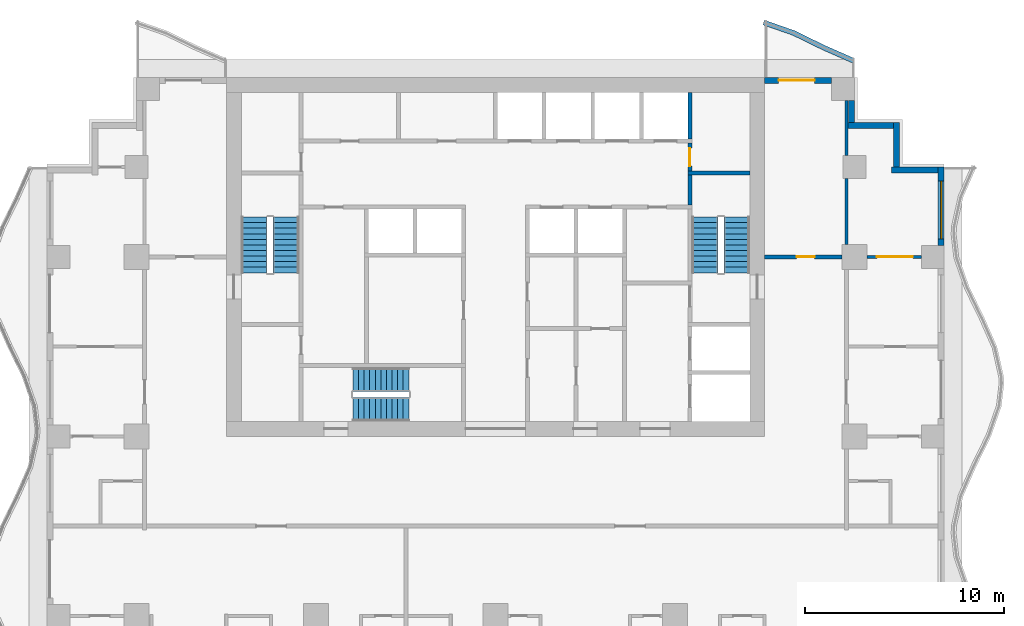
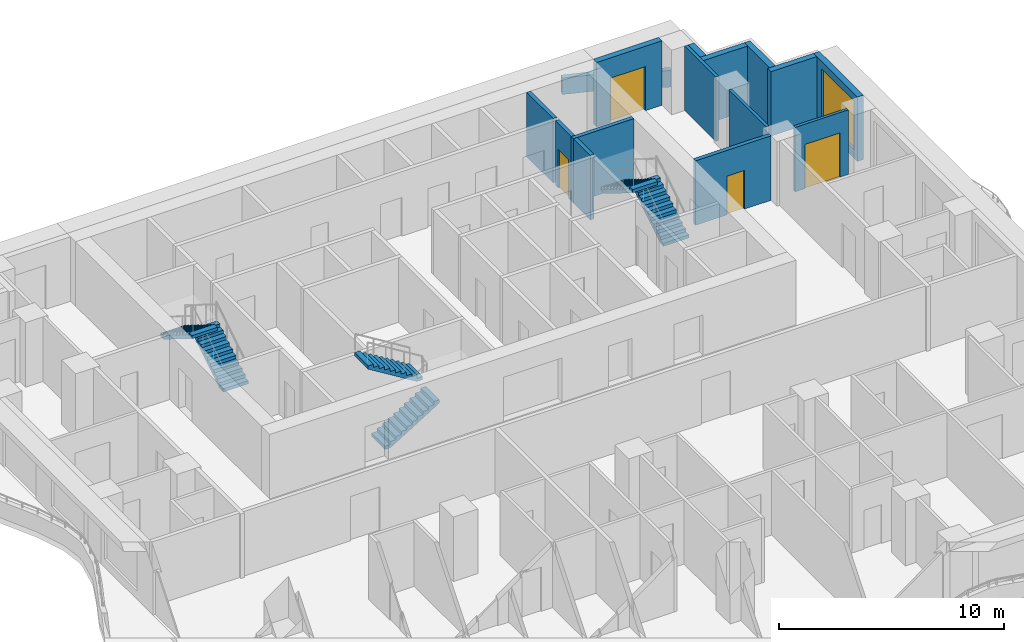
# One storey, part 6 of 10: 15 walls, 6 stair flights, 4 doors, 1 window, 5 openings, 3 elements without a shape of their own.
"""IFC4 building model written with IfcOpenShell, lengths in metres."""

from ifc_helpers import new_model, si_unit, direction, frame, frame_2d, origin, place, context, subcontext, project, spatial, polyline, rectangle, outline, extrude, material, layer, layer_set, type_object, element, fill, aggregate, save


model = new_model("IFC4")

# Units and contexts
model_context = context("Model", 3, precision=1e-05, world=origin(), true_north=direction((0.0, 1.0)))
body_context = subcontext(model_context, "Body", "Model", "MODEL_VIEW")
ifc_project = project(units=[si_unit("LENGTHUNIT", "METRE"), si_unit("AREAUNIT", "SQUARE_METRE"), si_unit("VOLUMEUNIT", "CUBIC_METRE"), si_unit("PLANEANGLEUNIT", "RADIAN"), si_unit("MASSUNIT", "GRAM", prefix="KILO")], contexts=[model_context])

# Site, building, storey
site_placement = place(None, origin())
site = spatial("IfcSite", under=ifc_project, at=site_placement, CompositionType="ELEMENT")
building_placement = place(site_placement, origin())
building = spatial("IfcBuilding", under=site, at=building_placement, Name="Orbiselva Terraces", CompositionType="ELEMENT")
storey_placement = place(building_placement, frame((0.0, 0.0, 140.2)))
storey = spatial("IfcBuildingStorey", under=building, at=storey_placement, Name="L35", CompositionType="ELEMENT", Elevation=140.2)

# Wall, opening, door
ifc_material_1 = material(Name="Masonry blockwork", Category="masonry")
ifc_layer_1 = layer(ifc_material_1, 0.2)
ifc_layer_set_1 = layer_set([ifc_layer_1], Name="Masonry blockwork")
wall_type_1 = type_object("IfcWallType", Name="CORE-WALL-PARTITION-200", PredefinedType="PARTITIONING", material=ifc_layer_set_1)
wall_1_placement = place(storey_placement, frame((9.75, 19.2, 0.0), z_axis=(0.0, 0.0, 1.0), x_axis=(0.0, -1.0, 0.0)))
wall_1 = element("IfcWall", 1, at=wall_1_placement, inside=storey, type_object=wall_type_1, Name="L35 core wall 46", PredefinedType="PARTITIONING", context=body_context, shape_type="SweptSolid", body=[
    extrude(rectangle(XDim=1.4, YDim=0.2, at=frame_2d((0.7, 0.0))), origin(), (0.0, 0.0, 1.0), 3.5),
])
opening_1_placement = place(wall_1_placement, frame((0.25, 0.0, 0.0)))
opening_1 = element("IfcOpeningElement", 2, at=opening_1_placement, cuts=wall_1, Name="Opening DR900", PredefinedType="OPENING", context=body_context, shape_type="SweptSolid", body=[
    extrude(rectangle(XDim=0.9, YDim=2.1, at=frame_2d((0.45, 1.05))), frame((0.0, 0.11, 0.0), z_axis=(0.0, -1.0, 0.0), x_axis=(1.0, 0.0, 0.0)), (0.0, 0.0, 1.0), 0.22),
])
ifc_material_2 = material(Name="Steel fire door", Category="steel")
door_type_1 = type_object("IfcDoorType", Name="ROOM DOOR 900", OperationType="NOTDEFINED", PredefinedType="DOOR", material=ifc_material_2)
door_1_placement = place(opening_1_placement, origin())
door_1 = element("IfcDoor", 3, at=door_1_placement, inside=storey, type_object=door_type_1, Name="L35 ELECTRICAL RISER ROOM door", OperationType="SINGLE_SWING_RIGHT", OverallHeight=2.1, OverallWidth=0.9, PredefinedType="DOOR", context=body_context, shape_type="SweptSolid", body=[
    extrude(rectangle(XDim=0.9, YDim=2.1, at=frame_2d((0.45, 1.05))), frame((0.0, 0.025, 0.0), z_axis=(0.0, -1.0, 0.0), x_axis=(1.0, 0.0, 0.0)), (0.0, 0.0, 1.0), 0.05),
])
fill(opening_1, door_1)

# Walls
ifc_material_3 = material(Name="Concrete C40/50", Category="concrete")
ifc_layer_2 = layer(ifc_material_3, 0.2)
ifc_layer_set_2 = layer_set([ifc_layer_2], Name="Concrete C40/50")
wall_type_2 = type_object("IfcWallType", Name="CORE-WALL-SHAFT-200", PredefinedType="PARTITIONING", material=ifc_layer_set_2)
wall_2_placement = place(storey_placement, frame((9.75, 19.4, 0.0), z_axis=(0.0, 0.0, 1.0), x_axis=(0.0, 1.0, 0.0)))
element("IfcWall", 4, at=wall_2_placement, inside=storey, type_object=wall_type_2, Name="L35 core wall 47", PredefinedType="PARTITIONING", context=body_context, shape_type="SweptSolid", body=[
    extrude(rectangle(XDim=2.35, YDim=0.2, at=frame_2d((1.175, 0.0))), origin(), (0.0, 0.0, 1.0), 3.5),
])
ifc_material_4 = material(Name="Concrete C60/75", Category="concrete")
ifc_layer_3 = layer(ifc_material_4, 0.2)
ifc_layer_set_3 = layer_set([ifc_layer_3], Name="Concrete C60/75")
wall_type_3 = type_object("IfcWallType", Name="CORE-WALL-SHEAR-200", PredefinedType="SHEAR", material=ifc_layer_set_3)
wall_3_placement = place(storey_placement, frame((9.75, 16.1, 0.0), z_axis=(0.0, 0.0, 1.0), x_axis=(0.0, 1.0, 0.0)))
element("IfcWall", 5, at=wall_3_placement, inside=storey, type_object=wall_type_3, Name="L35 core wall 44", PredefinedType="SHEAR", context=body_context, shape_type="SweptSolid", body=[
    extrude(rectangle(XDim=1.5, YDim=0.2, at=frame_2d((0.75, 0.0))), origin(), (0.0, 0.0, 1.0), 3.5),
])
wall_4_placement = place(storey_placement, frame((9.65, 17.7, 0.0), z_axis=(0.0, 0.0, 1.0), x_axis=(1.0, 0.0, 0.0)))
element("IfcWall", 6, at=wall_4_placement, inside=storey, type_object=wall_type_3, Name="L35 core wall 45", PredefinedType="SHEAR", context=body_context, shape_type="SweptSolid", body=[
    extrude(rectangle(XDim=3.1, YDim=0.2, at=frame_2d((1.55, 0.0))), origin(), (0.0, 0.0, 1.0), 3.5),
])
ifc_layer_4 = layer(ifc_material_3, 0.25)
ifc_layer_set_4 = layer_set([ifc_layer_4], Name="Concrete C40/50")
wall_type_4 = type_object("IfcWallType", Name="ENV-PLANTER-250x900", PredefinedType="USERDEFINED", material=ifc_layer_set_4)
wall_5_placement = place(storey_placement, origin())
element("IfcWall", 7, at=wall_5_placement, inside=storey, type_object=wall_type_4, Name="Balcony planter L35 NE", ObjectType="PLANTER", PredefinedType="USERDEFINED", context=body_context, shape_type="SweptSolid", body=[
    extrude(outline(polyline([(18.0, 23.451472), (16.5, 24.112279), (15.0, 24.844789), (13.5, 25.369208), (13.417494, 25.133215), (14.90356, 24.613667), (16.394714, 23.885477), (17.899212, 23.222689), (18.0, 23.451472)])), origin(), (0.0, 0.0, 1.0), 0.9),
])

# Wall, opening, window
ifc_material_5 = material(Name="Terracotta cladding on masonry backing", Category="masonry")
ifc_layer_5 = layer(ifc_material_5, 0.3)
ifc_layer_set_5 = layer_set([ifc_layer_5], Name="Terracotta cladding on masonry backing")
wall_type_5 = type_object("IfcWallType", Name="ENV-WALL-TERRACOTTA-300", PredefinedType="SOLIDWALL", material=ifc_layer_set_5)
wall_6_placement = place(storey_placement, frame((22.35, 18.0, 0.0), z_axis=(0.0, 0.0, 1.0), x_axis=(0.0, -1.0, 0.0)))
wall_6 = element("IfcWall", 8, at=wall_6_placement, inside=storey, type_object=wall_type_5, Name="Facade wall L35 E", PredefinedType="SOLIDWALL", context=body_context, shape_type="SweptSolid", body=[
    extrude(rectangle(XDim=3.925, YDim=0.3, at=frame_2d((1.9625, 0.0))), origin(), (0.0, 0.0, 1.0), 3.5),
])
opening_2_placement = place(wall_6_placement, frame((0.7, 0.0, 0.45)))
opening_2 = element("IfcOpeningElement", 9, at=opening_2_placement, cuts=wall_6, Name="Opening WN8", PredefinedType="OPENING", context=body_context, shape_type="SweptSolid", body=[
    extrude(rectangle(XDim=2.9, YDim=2.65, at=frame_2d((1.45, 1.325))), frame((0.0, 0.16, 0.0), z_axis=(0.0, -1.0, 0.0), x_axis=(1.0, 0.0, 0.0)), (0.0, 0.0, 1.0), 0.32),
])
ifc_material_6 = material(Name="Clear low-e glazing in aluminium frame", Category="aluminium")
window_type = type_object("IfcWindowType", Name="WINDOW 2900 X 2650 S450", PartitioningType="TRIPLE_PANEL_VERTICAL", PredefinedType="WINDOW", material=ifc_material_6)
window_placement = place(opening_2_placement, origin())
window = element("IfcWindow", 10, at=window_placement, inside=storey, type_object=window_type, Name="Window L35 E", OverallHeight=2.65, OverallWidth=2.9, PartitioningType="SINGLE_PANEL", PredefinedType="WINDOW", context=body_context, shape_type="SweptSolid", body=[
    extrude(rectangle(XDim=2.9, YDim=2.65, at=frame_2d((1.45, 1.325))), frame((0.0, 0.03, 0.0), z_axis=(0.0, -1.0, 0.0), x_axis=(1.0, 0.0, 0.0)), (0.0, 0.0, 1.0), 0.06),
])
fill(opening_2, window)

# Walls
wall_7_placement = place(storey_placement, frame((19.85, 17.85, 0.0), z_axis=(0.0, 0.0, 1.0), x_axis=(1.0, 0.0, 0.0)))
element("IfcWall", 11, at=wall_7_placement, inside=storey, type_object=wall_type_5, Name="Facade wall L35 STEP", PredefinedType="SOLIDWALL", context=body_context, shape_type="SweptSolid", body=[
    extrude(rectangle(XDim=2.35, YDim=0.3, at=frame_2d((1.175, 0.0))), origin(), (0.0, 0.0, 1.0), 3.5),
])
wall_8_placement = place(storey_placement, frame((20.1, 20.25, 0.0), z_axis=(0.0, 0.0, 1.0), x_axis=(0.0, -1.0, 0.0)))
element("IfcWall", 12, at=wall_8_placement, inside=storey, type_object=wall_type_5, Name="Facade wall L35 STEP", PredefinedType="SOLIDWALL", context=body_context, shape_type="SweptSolid", body=[
    extrude(rectangle(XDim=2.25, YDim=0.3, at=frame_2d((1.125, 0.0))), origin(), (0.0, 0.0, 1.0), 3.5),
])
wall_9_placement = place(storey_placement, frame((17.6, 20.1, 0.0), z_axis=(0.0, 0.0, 1.0), x_axis=(1.0, 0.0, 0.0)))
element("IfcWall", 13, at=wall_9_placement, inside=storey, type_object=wall_type_5, Name="Facade wall L35 STEP", PredefinedType="SOLIDWALL", context=body_context, shape_type="SweptSolid", body=[
    extrude(rectangle(XDim=2.35, YDim=0.3, at=frame_2d((1.175, 0.0))), origin(), (0.0, 0.0, 1.0), 3.5),
])
wall_10_placement = place(storey_placement, frame((17.85, 21.35, 0.0), z_axis=(0.0, 0.0, 1.0), x_axis=(0.0, -1.0, 0.0)))
element("IfcWall", 14, at=wall_10_placement, inside=storey, type_object=wall_type_5, Name="Facade wall L35 STEP", PredefinedType="SOLIDWALL", context=body_context, shape_type="SweptSolid", body=[
    extrude(rectangle(XDim=1.1, YDim=0.3, at=frame_2d((0.55, 0.0))), origin(), (0.0, 0.0, 1.0), 3.5),
])

# Wall, opening, door
wall_11_placement = place(storey_placement, frame((13.5, 22.35, 0.0), z_axis=(0.0, 0.0, 1.0), x_axis=(1.0, 0.0, 0.0)))
wall_11 = element("IfcWall", 15, at=wall_11_placement, inside=storey, type_object=wall_type_5, Name="Facade wall L35 NE", PredefinedType="SOLIDWALL", context=body_context, shape_type="SweptSolid", body=[
    extrude(rectangle(XDim=3.35, YDim=0.3, at=frame_2d((1.675, 0.0))), origin(), (0.0, 0.0, 1.0), 3.5),
])
opening_3_placement = place(wall_11_placement, frame((0.7, 0.0, 0.0)))
opening_3 = element("IfcOpeningElement", 16, at=opening_3_placement, cuts=wall_11, Name="Opening Z3-B-E13", PredefinedType="OPENING", context=body_context, shape_type="SweptSolid", body=[
    extrude(rectangle(XDim=1.8, YDim=2.4, at=frame_2d((0.9, 1.2))), frame((0.0, 0.16, 0.0), z_axis=(0.0, -1.0, 0.0), x_axis=(1.0, 0.0, 0.0)), (0.0, 0.0, 1.0), 0.32),
])
door_type_2 = type_object("IfcDoorType", Name="BALCONY DOOR 1800 X 2400", OperationType="DOUBLE_DOOR_SLIDING", PredefinedType="DOOR", material=ifc_material_6)
door_2_placement = place(opening_3_placement, origin())
door_2 = element("IfcDoor", 17, at=door_2_placement, inside=storey, type_object=door_type_2, Name="Z3-B-E13", OperationType="SINGLE_SWING_LEFT", OverallHeight=2.4, OverallWidth=1.8, PredefinedType="DOOR", context=body_context, shape_type="SweptSolid", body=[
    extrude(rectangle(XDim=1.8, YDim=2.4, at=frame_2d((0.9, 1.2))), frame((0.0, 0.025, 0.0), z_axis=(0.0, -1.0, 0.0), x_axis=(1.0, 0.0, 0.0)), (0.0, 0.0, 1.0), 0.05),
])
fill(opening_3, door_2)

ifc_material_7 = material(Name="Plasterboard on steel stud partition", Category="steel")
ifc_layer_6 = layer(ifc_material_7, 0.2)
ifc_layer_set_6 = layer_set([ifc_layer_6], Name="Plasterboard on steel stud partition")
wall_type_6 = type_object("IfcWallType", Name="UNIT-ENTRANCE-WALL-200", PredefinedType="PARTITIONING", material=ifc_layer_set_6)
wall_12_placement = place(storey_placement, frame((13.5, 13.5, 0.0), z_axis=(0.0, 0.0, 1.0), x_axis=(1.0, 0.0, 0.0)))
wall_12 = element("IfcWall", 18, at=wall_12_placement, inside=storey, type_object=wall_type_6, Name="PARTITION L35-037", PredefinedType="PARTITIONING", context=body_context, shape_type="SweptSolid", body=[
    extrude(rectangle(XDim=3.875, YDim=0.2, at=frame_2d((1.9375, 0.0))), origin(), (0.0, 0.0, 1.0), 3.5),
])
opening_4_placement = place(wall_12_placement, frame((1.6, 0.0, 0.0)))
opening_4 = element("IfcOpeningElement", 19, at=opening_4_placement, cuts=wall_12, Name="Opening Z3-B-02", PredefinedType="OPENING", context=body_context, shape_type="SweptSolid", body=[
    extrude(rectangle(XDim=0.9, YDim=2.1, at=frame_2d((0.45, 1.05))), frame((0.0, 0.11, 0.0), z_axis=(0.0, -1.0, 0.0), x_axis=(1.0, 0.0, 0.0)), (0.0, 0.0, 1.0), 0.22),
])
ifc_material_8 = material(Name="Painted timber door leaf", Category="wood")
door_type_3 = type_object("IfcDoorType", Name="SERVICE DOOR 900", OperationType="NOTDEFINED", PredefinedType="DOOR", material=ifc_material_8)
door_3_placement = place(opening_4_placement, origin())
door_3 = element("IfcDoor", 20, at=door_3_placement, inside=storey, type_object=door_type_3, Name="Z3-B-02", OperationType="SINGLE_SWING_RIGHT", OverallHeight=2.1, OverallWidth=0.9, PredefinedType="DOOR", context=body_context, shape_type="SweptSolid", body=[
    extrude(rectangle(XDim=0.9, YDim=2.1, at=frame_2d((0.45, 1.05))), frame((0.0, 0.025, 0.0), z_axis=(0.0, -1.0, 0.0), x_axis=(1.0, 0.0, 0.0)), (0.0, 0.0, 1.0), 0.05),
])
fill(opening_4, door_3)

ifc_layer_7 = layer(ifc_material_7, 0.15)
ifc_layer_set_7 = layer_set([ifc_layer_7], Name="Plasterboard on steel stud partition")
wall_type_7 = type_object("IfcWallType", Name="UNIT-PARTITION-150", PredefinedType="PARTITIONING", material=ifc_layer_set_7)
wall_13_placement = place(storey_placement, frame((18.625, 13.5, 0.0), z_axis=(0.0, 0.0, 1.0), x_axis=(1.0, 0.0, 0.0)))
wall_13 = element("IfcWall", 21, at=wall_13_placement, inside=storey, type_object=wall_type_7, Name="PARTITION L35-038", PredefinedType="PARTITIONING", context=body_context, shape_type="SweptSolid", body=[
    extrude(rectangle(XDim=2.725, YDim=0.15, at=frame_2d((1.3625, 0.0))), origin(), (0.0, 0.0, 1.0), 3.5),
])
opening_5_placement = place(wall_13_placement, frame((0.5, 0.0, 0.0)))
opening_5 = element("IfcOpeningElement", 22, at=opening_5_placement, cuts=wall_13, Name="Opening Z3-B-12", PredefinedType="OPENING", context=body_context, shape_type="SweptSolid", body=[
    extrude(rectangle(XDim=1.8, YDim=2.4, at=frame_2d((0.9, 1.2))), frame((0.0, 0.085, 0.0), z_axis=(0.0, -1.0, 0.0), x_axis=(1.0, 0.0, 0.0)), (0.0, 0.0, 1.0), 0.17),
])
door_type_4 = type_object("IfcDoorType", Name="DOUBLE DOOR 1800", OperationType="NOTDEFINED", PredefinedType="DOOR", material=ifc_material_8)
door_4_placement = place(opening_5_placement, origin())
door_4 = element("IfcDoor", 23, at=door_4_placement, inside=storey, type_object=door_type_4, Name="Z3-B-12", OperationType="DOUBLE_DOOR_SINGLE_SWING", OverallHeight=2.4, OverallWidth=1.8, PredefinedType="DOOR", context=body_context, shape_type="SweptSolid", body=[
    extrude(rectangle(XDim=1.8, YDim=2.4, at=frame_2d((0.9, 1.2))), frame((0.0, 0.025, 0.0), z_axis=(0.0, -1.0, 0.0), x_axis=(1.0, 0.0, 0.0)), (0.0, 0.0, 1.0), 0.05),
])
fill(opening_5, door_4)

# Walls
wall_14_placement = place(storey_placement, frame((17.6, 14.125, 0.0), z_axis=(0.0, 0.0, 1.0), x_axis=(0.0, 1.0, 0.0)))
element("IfcWall", 24, at=wall_14_placement, inside=storey, type_object=wall_type_7, Name="PARTITION L35-066", PredefinedType="PARTITIONING", context=body_context, shape_type="SweptSolid", body=[
    extrude(rectangle(XDim=3.3, YDim=0.15, at=frame_2d((1.65, 0.0))), origin(), (0.0, 0.0, 1.0), 3.5),
])
wall_15_placement = place(storey_placement, frame((17.6, 18.575, 0.0), z_axis=(0.0, 0.0, 1.0), x_axis=(0.0, 1.0, 0.0)))
element("IfcWall", 25, at=wall_15_placement, inside=storey, type_object=wall_type_7, Name="PARTITION L35-067", PredefinedType="PARTITIONING", context=body_context, shape_type="SweptSolid", body=[
    extrude(rectangle(XDim=2.775, YDim=0.15, at=frame_2d((1.3875, 0.0))), origin(), (0.0, 0.0, 1.0), 3.5),
])

# Stair, stair flights
stair_type_1 = type_object("IfcStairType", Name="CORE-STAIR-1200", PredefinedType="HALF_TURN_STAIR", material=ifc_material_3)
stair_1_placement = place(storey_placement, origin())
stair_1 = element("IfcStair", 26, at=stair_1_placement, inside=storey, type_object=stair_type_1, Name="L35 Exit Stair S3", PredefinedType="HALF_TURN_STAIR")
stair_flight_type_1 = type_object("IfcStairFlightType", Name="CORE-STAIR-FLIGHT-1200", PredefinedType="STRAIGHT", material=ifc_material_3)
stair_flight_1_placement = place(storey_placement, frame((-7.15, 5.85, 0.0), z_axis=(0.0, 0.0, 1.0), x_axis=(1.0, 0.0, 0.0)))
stair_flight_1 = element("IfcStairFlight", 27, at=stair_flight_1_placement, type_object=stair_flight_type_1, Name="S3 flight 1", NumberOfRisers=11, NumberOfTreads=10, PredefinedType="STRAIGHT", RiserHeight=0.172727273, TreadLength=0.28, context=body_context, shape_type="SweptSolid", body=[
    extrude(outline(polyline([(0.0, 0.0), (0.0, 0.172727), (0.28, 0.172727), (0.28, 0.345455), (0.56, 0.345455), (0.56, 0.518182), (0.84, 0.518182), (0.84, 0.690909), (1.12, 0.690909), (1.12, 0.863636), (1.4, 0.863636), (1.4, 1.036364), (1.68, 1.036364), (1.68, 1.209091), (1.96, 1.209091), (1.96, 1.381818), (2.24, 1.381818), (2.24, 1.554545), (2.52, 1.554545), (2.52, 1.727273), (2.8, 1.727273), (2.8, 1.9), (2.8, 1.551028), (0.285702, 0.0), (0.0, 0.0)])), frame((0.0, 0.6, 0.0), z_axis=(0.0, -1.0, 0.0), x_axis=(1.0, 0.0, 0.0)), (0.0, 0.0, 1.0), 1.2),
])
stair_flight_2_placement = place(storey_placement, frame((-4.35, 7.35, 1.9), z_axis=(0.0, 0.0, 1.0), x_axis=(-1.0, 0.0, 0.0)))
stair_flight_2 = element("IfcStairFlight", 28, at=stair_flight_2_placement, type_object=stair_flight_type_1, Name="S3 flight 2", NumberOfRisers=11, NumberOfTreads=10, PredefinedType="STRAIGHT", RiserHeight=0.172727273, TreadLength=0.28, context=body_context, shape_type="SweptSolid", body=[
    extrude(outline(polyline([(0.0, 0.0), (0.0, 0.172727), (0.28, 0.172727), (0.28, 0.345455), (0.56, 0.345455), (0.56, 0.518182), (0.84, 0.518182), (0.84, 0.690909), (1.12, 0.690909), (1.12, 0.863636), (1.4, 0.863636), (1.4, 1.036364), (1.68, 1.036364), (1.68, 1.209091), (1.96, 1.209091), (1.96, 1.381818), (2.24, 1.381818), (2.24, 1.554545), (2.52, 1.554545), (2.52, 1.727273), (2.8, 1.727273), (2.8, 1.9), (2.8, 1.551028), (0.285702, 0.0), (0.0, 0.0)])), frame((0.0, 0.6, 0.0), z_axis=(0.0, -1.0, 0.0), x_axis=(1.0, 0.0, 0.0)), (0.0, 0.0, 1.0), 1.2),
])
aggregate(stair_1, [stair_flight_1, stair_flight_2])

stair_type_2 = type_object("IfcStairType", Name="CORE-STAIR-1300", PredefinedType="HALF_TURN_STAIR", material=ifc_material_3)
stair_2_placement = place(storey_placement, origin())
stair_2 = element("IfcStair", 29, at=stair_2_placement, inside=storey, type_object=stair_type_2, Name="L35 Exit Stair S1", PredefinedType="HALF_TURN_STAIR")
stair_flight_type_2 = type_object("IfcStairFlightType", Name="CORE-STAIR-FLIGHT-1300", PredefinedType="STRAIGHT", material=ifc_material_3)
stair_flight_3_placement = place(storey_placement, frame((-10.5, 12.7, 0.0), z_axis=(0.0, 0.0, 1.0), x_axis=(0.0, 1.0, 0.0)))
stair_flight_3 = element("IfcStairFlight", 30, at=stair_flight_3_placement, type_object=stair_flight_type_2, Name="S1 flight 1", NumberOfRisers=11, NumberOfTreads=10, PredefinedType="STRAIGHT", RiserHeight=0.172727273, TreadLength=0.28, context=body_context, shape_type="SweptSolid", body=[
    extrude(outline(polyline([(0.0, 0.0), (0.0, 0.172727), (0.28, 0.172727), (0.28, 0.345455), (0.56, 0.345455), (0.56, 0.518182), (0.84, 0.518182), (0.84, 0.690909), (1.12, 0.690909), (1.12, 0.863636), (1.4, 0.863636), (1.4, 1.036364), (1.68, 1.036364), (1.68, 1.209091), (1.96, 1.209091), (1.96, 1.381818), (2.24, 1.381818), (2.24, 1.554545), (2.52, 1.554545), (2.52, 1.727273), (2.8, 1.727273), (2.8, 1.9), (2.8, 1.551028), (0.285702, 0.0), (0.0, 0.0)])), frame((0.0, 0.65, 0.0), z_axis=(0.0, -1.0, 0.0), x_axis=(1.0, 0.0, 0.0)), (0.0, 0.0, 1.0), 1.3),
])
stair_flight_4_placement = place(storey_placement, frame((-12.1, 15.5, 1.9), z_axis=(0.0, 0.0, 1.0), x_axis=(0.0, -1.0, 0.0)))
stair_flight_4 = element("IfcStairFlight", 31, at=stair_flight_4_placement, type_object=stair_flight_type_2, Name="S1 flight 2", NumberOfRisers=11, NumberOfTreads=10, PredefinedType="STRAIGHT", RiserHeight=0.172727273, TreadLength=0.28, context=body_context, shape_type="SweptSolid", body=[
    extrude(outline(polyline([(0.0, 0.0), (0.0, 0.172727), (0.28, 0.172727), (0.28, 0.345455), (0.56, 0.345455), (0.56, 0.518182), (0.84, 0.518182), (0.84, 0.690909), (1.12, 0.690909), (1.12, 0.863636), (1.4, 0.863636), (1.4, 1.036364), (1.68, 1.036364), (1.68, 1.209091), (1.96, 1.209091), (1.96, 1.381818), (2.24, 1.381818), (2.24, 1.554545), (2.52, 1.554545), (2.52, 1.727273), (2.8, 1.727273), (2.8, 1.9), (2.8, 1.551028), (0.285702, 0.0), (0.0, 0.0)])), frame((0.0, 0.65, 0.0), z_axis=(0.0, -1.0, 0.0), x_axis=(1.0, 0.0, 0.0)), (0.0, 0.0, 1.0), 1.3),
])
aggregate(stair_2, [stair_flight_3, stair_flight_4])

stair_3_placement = place(storey_placement, origin())
stair_3 = element("IfcStair", 32, at=stair_3_placement, inside=storey, type_object=stair_type_2, Name="L35 Exit Stair S2", PredefinedType="HALF_TURN_STAIR")
stair_flight_5_placement = place(storey_placement, frame((12.1, 12.7, 0.0), z_axis=(0.0, 0.0, 1.0), x_axis=(0.0, 1.0, 0.0)))
stair_flight_5 = element("IfcStairFlight", 33, at=stair_flight_5_placement, type_object=stair_flight_type_2, Name="S2 flight 1", NumberOfRisers=11, NumberOfTreads=10, PredefinedType="STRAIGHT", RiserHeight=0.172727273, TreadLength=0.28, context=body_context, shape_type="SweptSolid", body=[
    extrude(outline(polyline([(0.0, 0.0), (0.0, 0.172727), (0.28, 0.172727), (0.28, 0.345455), (0.56, 0.345455), (0.56, 0.518182), (0.84, 0.518182), (0.84, 0.690909), (1.12, 0.690909), (1.12, 0.863636), (1.4, 0.863636), (1.4, 1.036364), (1.68, 1.036364), (1.68, 1.209091), (1.96, 1.209091), (1.96, 1.381818), (2.24, 1.381818), (2.24, 1.554545), (2.52, 1.554545), (2.52, 1.727273), (2.8, 1.727273), (2.8, 1.9), (2.8, 1.551028), (0.285702, 0.0), (0.0, 0.0)])), frame((0.0, 0.65, 0.0), z_axis=(0.0, -1.0, 0.0), x_axis=(1.0, 0.0, 0.0)), (0.0, 0.0, 1.0), 1.3),
])
stair_flight_6_placement = place(storey_placement, frame((10.5, 15.5, 1.9), z_axis=(0.0, 0.0, 1.0), x_axis=(0.0, -1.0, 0.0)))
stair_flight_6 = element("IfcStairFlight", 34, at=stair_flight_6_placement, type_object=stair_flight_type_2, Name="S2 flight 2", NumberOfRisers=11, NumberOfTreads=10, PredefinedType="STRAIGHT", RiserHeight=0.172727273, TreadLength=0.28, context=body_context, shape_type="SweptSolid", body=[
    extrude(outline(polyline([(0.0, 0.0), (0.0, 0.172727), (0.28, 0.172727), (0.28, 0.345455), (0.56, 0.345455), (0.56, 0.518182), (0.84, 0.518182), (0.84, 0.690909), (1.12, 0.690909), (1.12, 0.863636), (1.4, 0.863636), (1.4, 1.036364), (1.68, 1.036364), (1.68, 1.209091), (1.96, 1.209091), (1.96, 1.381818), (2.24, 1.381818), (2.24, 1.554545), (2.52, 1.554545), (2.52, 1.727273), (2.8, 1.727273), (2.8, 1.9), (2.8, 1.551028), (0.285702, 0.0), (0.0, 0.0)])), frame((0.0, 0.65, 0.0), z_axis=(0.0, -1.0, 0.0), x_axis=(1.0, 0.0, 0.0)), (0.0, 0.0, 1.0), 1.3),
])
aggregate(stair_3, [stair_flight_5, stair_flight_6])

save(model, "model.ifc")
